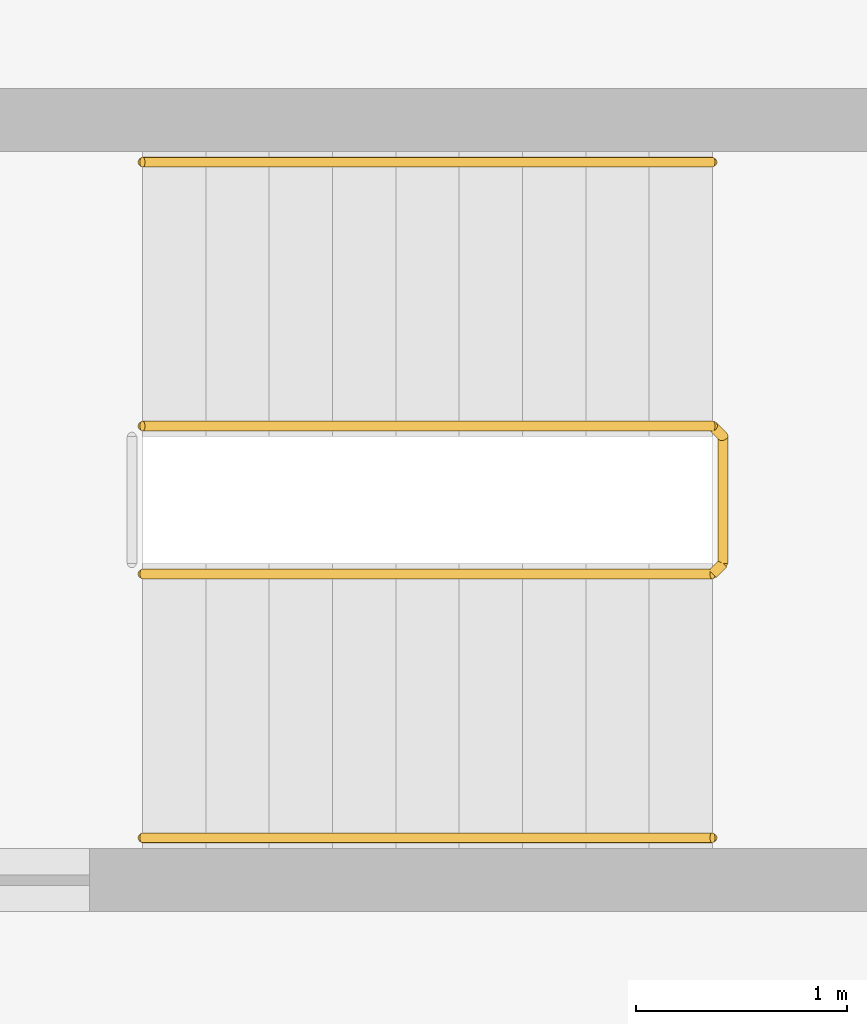
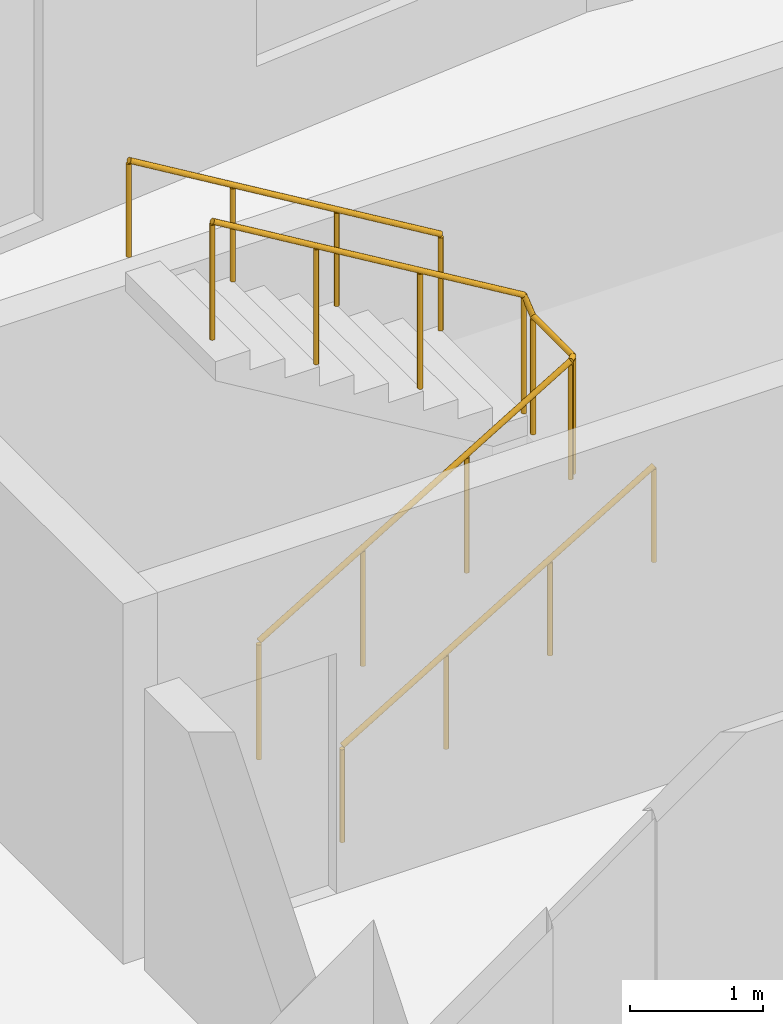
# One storey, part 13 of 13: 3 railings.
"""IFC4 building model written with IfcOpenShell, lengths in metres."""

from ifc_helpers import new_model, si_unit, direction, frame, origin, origin_2d, place, context, subcontext, project, spatial, circle, extrude, material, type_object, element, save


model = new_model("IFC4")

# Units and contexts
model_context = context("Model", 3, precision=1e-05, world=origin(), true_north=direction((0.0, 1.0)))
body_context = subcontext(model_context, "Body", "Model", "MODEL_VIEW")
ifc_project = project(units=[si_unit("LENGTHUNIT", "METRE"), si_unit("AREAUNIT", "SQUARE_METRE"), si_unit("VOLUMEUNIT", "CUBIC_METRE"), si_unit("PLANEANGLEUNIT", "RADIAN"), si_unit("MASSUNIT", "GRAM", prefix="KILO")], contexts=[model_context])

# Site, building, storey
site_placement = place(None, origin())
site = spatial("IfcSite", under=ifc_project, at=site_placement, CompositionType="ELEMENT")
building_placement = place(site_placement, origin())
building = spatial("IfcBuilding", under=site, at=building_placement, Name="Brondeck Convention Tower", CompositionType="ELEMENT")
storey_placement = place(building_placement, frame((0.0, 0.0, 69.89990234375)))
storey = spatial("IfcBuildingStorey", under=building, at=storey_placement, Name="L15", CompositionType="ELEMENT", Elevation=69.89990234375)

# Railings
ifc_material = material(Name="Steel S355", Category="steel")
railing_type_1 = type_object("IfcRailingType", Name="Stair guard 1100", PredefinedType="GUARDRAIL", material=ifc_material)
railing_1_placement = place(storey_placement, frame((37.85009765625, 55.449951171875, 0.18017578125)))
element("IfcRailing", 1, at=railing_1_placement, inside=storey, type_object=railing_type_1, Name="L15 ST-AE stair guard 1", PredefinedType="GUARDRAIL", context=body_context, shape_type="SweptSolid", body=[
    extrude(circle(Radius=0.02392578125, at=origin_2d()), frame((0.0, 0.0, 1.076171875), z_axis=(0.857506608807, 0.0, 0.514472949583), x_axis=(0.0, 1.0, 0.0)), (0.0, 0.0, 1.0), 3.148681640625),
    extrude(circle(Radius=0.02392578125, at=origin_2d()), frame((2.699951171875, 0.0, 2.69580078125), z_axis=(0.707106781187, 0.707106781187, 0.0), x_axis=(-0.707106781187, 0.707106781187, 0.0)), (0.0, 0.0, 1.0), 0.07080078125),
    extrude(circle(Radius=0.02392578125, at=origin_2d()), frame((2.75, 0.050048828125, 2.69580078125), z_axis=(0.0, 1.0, 0.0), x_axis=(-1.0, 0.0, 0.0)), (0.0, 0.0, 1.0), 0.60009765625),
    extrude(circle(Radius=0.02392578125, at=origin_2d()), frame((2.75, 0.650146484375, 2.69580078125), z_axis=(-0.258932105505, 0.257669022063, 0.930892496375), x_axis=(-0.705375805398, -0.708833529934, 0.0)), (0.0, 0.0, 1.0), 0.193359375),
    extrude(circle(Radius=0.02392578125, at=origin_2d()), frame((2.699951171875, 0.699951171875, 2.8759765625), z_axis=(-0.857472400752, 0.0, 0.514529962148), x_axis=(0.0, -1.0, 0.0)), (0.0, 0.0, 1.0), 3.148681640625),
    extrude(circle(Radius=0.02099609375, at=origin_2d()), origin(), (0.0, 0.0, 1.0), 1.052001953125),
    extrude(circle(Radius=0.02099609375, at=origin_2d()), frame((0.89990234375, 0.0, 0.5400390625)), (0.0, 0.0, 1.0), 1.052001953125),
    extrude(circle(Radius=0.02099609375, at=origin_2d()), frame((1.800048828125, 0.0, 1.079833984375)), (0.0, 0.0, 1.0), 1.052001953125),
    extrude(circle(Radius=0.02099609375, at=origin_2d()), frame((2.699951171875, 0.0, 1.619873046875)), (0.0, 0.0, 1.0), 1.052001953125),
    extrude(circle(Radius=0.02099609375, at=origin_2d()), frame((2.75, 0.050048828125, 1.619873046875)), (0.0, 0.0, 1.0), 1.052001953125),
    extrude(circle(Radius=0.02099609375, at=origin_2d()), frame((2.75, 0.650146484375, 1.619873046875)), (0.0, 0.0, 1.0), 1.052001953125),
    extrude(circle(Radius=0.02099609375, at=origin_2d()), frame((2.699951171875, 0.699951171875, 1.7998046875)), (0.0, 0.0, 1.0), 1.052001953125),
    extrude(circle(Radius=0.02099609375, at=origin_2d()), frame((1.800048828125, 0.699951171875, 2.33984375)), (0.0, 0.0, 1.0), 1.052001953125),
    extrude(circle(Radius=0.02099609375, at=origin_2d()), frame((0.89990234375, 0.699951171875, 2.8798828125)), (0.0, 0.0, 1.0), 1.052001953125),
    extrude(circle(Radius=0.02099609375, at=origin_2d()), frame((0.0, 0.699951171875, 3.419921875)), (0.0, 0.0, 1.0), 1.052001953125),
])
railing_type_2 = type_object("IfcRailingType", Name="Stair handrail", PredefinedType="HANDRAIL", material=ifc_material)
railing_2_placement = place(storey_placement, frame((37.85009765625, 54.199951171875, 0.18017578125)))
element("IfcRailing", 2, at=railing_2_placement, inside=storey, type_object=railing_type_2, Name="L15 ST-AE stair handrail 1", PredefinedType="HANDRAIL", context=body_context, shape_type="SweptSolid", body=[
    extrude(circle(Radius=0.02392578125, at=origin_2d()), frame((0.0, 0.0, 0.8759765625), z_axis=(0.857506608807, 0.0, 0.514472949583), x_axis=(0.0, 1.0, 0.0)), (0.0, 0.0, 1.0), 3.148681640625),
    extrude(circle(Radius=0.02099609375, at=origin_2d()), origin(), (0.0, 0.0, 1.0), 0.851806640625),
    extrude(circle(Radius=0.02099609375, at=origin_2d()), frame((0.89990234375, 0.0, 0.5400390625)), (0.0, 0.0, 1.0), 0.851806640625),
    extrude(circle(Radius=0.02099609375, at=origin_2d()), frame((1.800048828125, 0.0, 1.079833984375)), (0.0, 0.0, 1.0), 0.851806640625),
    extrude(circle(Radius=0.02099609375, at=origin_2d()), frame((2.699951171875, 0.0, 1.619873046875)), (0.0, 0.0, 1.0), 0.851806640625),
])
railing_3_placement = place(storey_placement, frame((40.550048828125, 57.39990234375, 1.97998046875)))
element("IfcRailing", 3, at=railing_3_placement, inside=storey, type_object=railing_type_2, Name="L15 ST-AE stair handrail 2", PredefinedType="HANDRAIL", context=body_context, shape_type="SweptSolid", body=[
    extrude(circle(Radius=0.02392578125, at=origin_2d()), frame((0.0, 0.0, 0.8759765625), z_axis=(-0.857472400752, 0.0, 0.514529962148), x_axis=(0.0, -1.0, 0.0)), (0.0, 0.0, 1.0), 3.148681640625),
    extrude(circle(Radius=0.02099609375, at=origin_2d()), origin(), (0.0, 0.0, 1.0), 0.851806640625),
    extrude(circle(Radius=0.02099609375, at=origin_2d()), frame((-0.89990234375, 0.0, 0.5400390625)), (0.0, 0.0, 1.0), 0.851806640625),
    extrude(circle(Radius=0.02099609375, at=origin_2d()), frame((-1.800048828125, 0.0, 1.080078125)), (0.0, 0.0, 1.0), 0.851806640625),
    extrude(circle(Radius=0.02099609375, at=origin_2d()), frame((-2.699951171875, 0.0, 1.6201171875)), (0.0, 0.0, 1.0), 0.851806640625),
])

save(model, "model.ifc")
